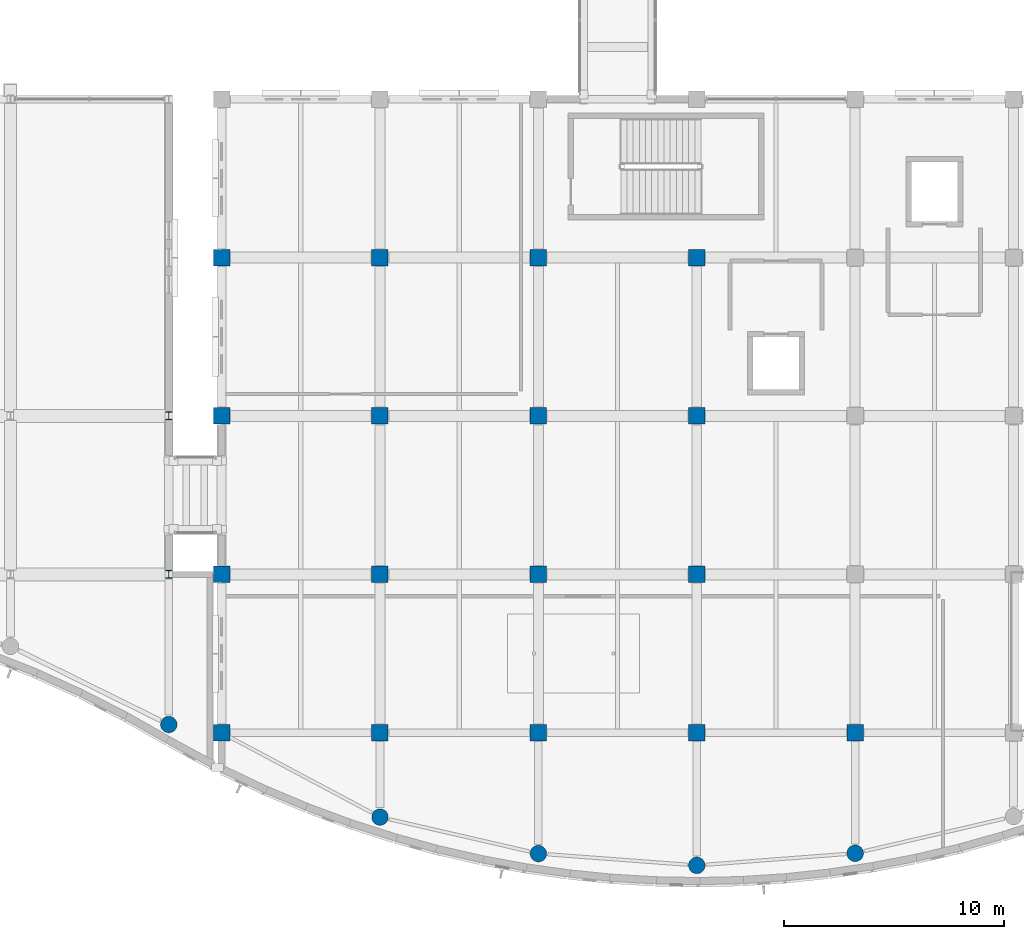
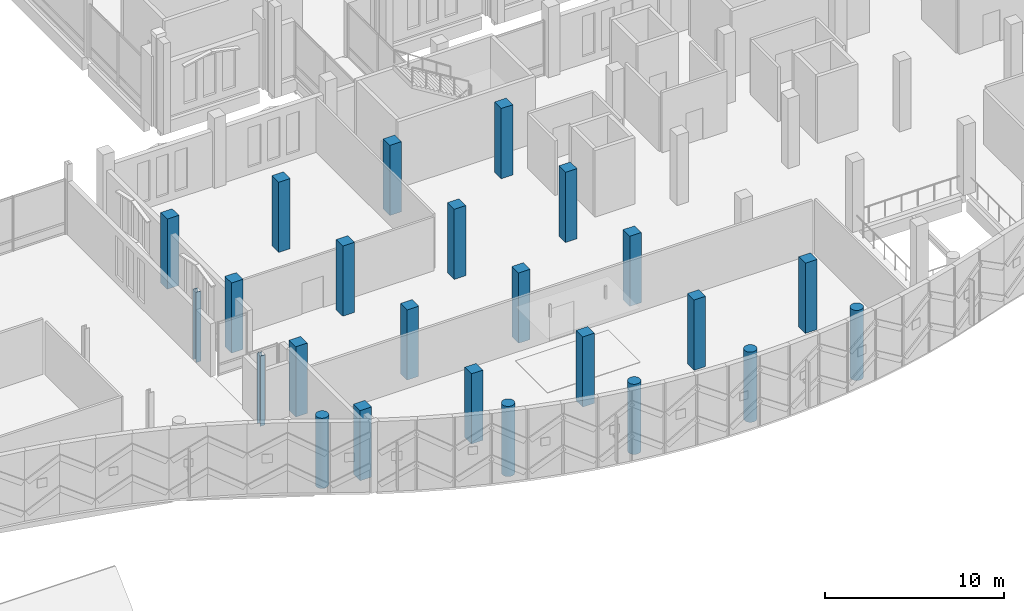
# One storey, part 10 of 193: 24 columns.
"""IFC4 building model written with IfcOpenShell, lengths in metres."""

from ifc_helpers import new_model, si_unit, direction, frame, origin, origin_2d, place, context, subcontext, project, spatial, rectangle, circle, i_section, extrude, material, material_profile, profile_set, type_object, element, save


model = new_model("IFC4")

# Units and contexts
model_context = context("Model", 3, precision=1e-05, world=origin(), true_north=direction((0.0, 1.0)))
body_context = subcontext(model_context, "Body", "Model", "MODEL_VIEW")
ifc_project = project(units=[si_unit("LENGTHUNIT", "METRE"), si_unit("AREAUNIT", "SQUARE_METRE"), si_unit("VOLUMEUNIT", "CUBIC_METRE"), si_unit("PLANEANGLEUNIT", "RADIAN"), si_unit("MASSUNIT", "GRAM", prefix="KILO")], contexts=[model_context])

# Site, building, storey
site_placement = place(None, origin())
site = spatial("IfcSite", under=ifc_project, at=site_placement, CompositionType="ELEMENT")
building_placement = place(site_placement, origin())
building = spatial("IfcBuilding", under=site, at=building_placement, Name="Cendralis Lancet Convention Centre", CompositionType="ELEMENT")
storey_placement = place(building_placement, frame((0.0, 0.0, 10.199951171875)))
storey = spatial("IfcBuildingStorey", under=building, at=storey_placement, Name="L02", CompositionType="ELEMENT", Elevation=10.199951171875)

# Columns
ifc_material_1 = material(Name="Concrete G40 (C40/50)", Category="concrete")
ifc_material_profile_1 = material_profile(ifc_material_1, rectangle(XDim=0.75, YDim=0.75, at=origin_2d()), Name="RC 750x750")
ifc_profile_set_1 = profile_set([ifc_material_profile_1], Name="Concrete G40 (C40/50)")
column_type_1 = type_object("IfcColumnType", Name="STR-COL-C06", PredefinedType="COLUMN", material=ifc_profile_set_1)
for number, where, z_axis, x_axis, name in (
    (1, (132.0, 7.199951171875, 0.0), (0.0, 0.0, 1.0), (1.0, 0.0, 0.0), "L02 Column C06 at 132.0,7.2"),
    (2, (132.0, 14.39990234375, 0.0), (0.0, 0.0, 1.0), (1.0, 0.0, 0.0), "L02 Column C06 at 132.0,14.4"),
    (3, (132.0, 21.60009765625, 0.0), (0.0, 0.0, 1.0), (1.0, 0.0, 0.0), "L02 Column C06 at 132.0,21.6"),
    (4, (132.0, 28.800048828125, 0.0), (0.0, 0.0, 1.0), (1.0, 0.0, 0.0), "L02 Column C06 at 132.0,28.8"),
):
    element("IfcColumn", number, at=place(storey_placement, frame(where, z_axis=z_axis, x_axis=x_axis)), inside=storey, type_object=column_type_1, Name=name, PredefinedType="COLUMN", context=body_context, shape_type="SweptSolid", body=[
        extrude(rectangle(XDim=0.75, YDim=0.75, at=origin_2d()), origin(), (0.0, 0.0, 1.0), 4.800048828125),
    ])
ifc_material_profile_2 = material_profile(ifc_material_1, rectangle(XDim=0.75, YDim=0.75, at=origin_2d()), Name="RC 750x750")
ifc_profile_set_2 = profile_set([ifc_material_profile_2], Name="Concrete G40 (C40/50)")
column_type_2 = type_object("IfcColumnType", Name="STR-COL-C06-INT", PredefinedType="COLUMN", material=ifc_profile_set_2)
for number, where, z_axis, x_axis, name in (
    (5, (139.199951171875, 7.199951171875, 0.0), (0.0, 0.0, 1.0), (1.0, 0.0, 0.0), "L02 Column C06 at 139.2,7.2"),
    (6, (139.199951171875, 14.39990234375, 0.0), (0.0, 0.0, 1.0), (1.0, 0.0, 0.0), "L02 Column C06 at 139.2,14.4"),
    (7, (139.199951171875, 21.60009765625, 0.0), (0.0, 0.0, 1.0), (1.0, 0.0, 0.0), "L02 Column C06 at 139.2,21.6"),
    (8, (139.199951171875, 28.800048828125, 0.0), (0.0, 0.0, 1.0), (1.0, 0.0, 0.0), "L02 Column C06 at 139.2,28.8"),
    (9, (146.39990234375, 7.199951171875, 0.0), (0.0, 0.0, 1.0), (1.0, 0.0, 0.0), "L02 Column C06 at 146.4,7.2"),
    (10, (146.39990234375, 14.39990234375, 0.0), (0.0, 0.0, 1.0), (1.0, 0.0, 0.0), "L02 Column C06 at 146.4,14.4"),
    (11, (146.39990234375, 21.60009765625, 0.0), (0.0, 0.0, 1.0), (1.0, 0.0, 0.0), "L02 Column C06 at 146.4,21.6"),
    (12, (146.39990234375, 28.800048828125, 0.0), (0.0, 0.0, 1.0), (1.0, 0.0, 0.0), "L02 Column C06 at 146.4,28.8"),
    (13, (153.60009765625, 7.199951171875, 0.0), (0.0, 0.0, 1.0), (1.0, 0.0, 0.0), "L02 Column C06 at 153.6,7.2"),
    (14, (153.60009765625, 14.39990234375, 0.0), (0.0, 0.0, 1.0), (1.0, 0.0, 0.0), "L02 Column C06 at 153.6,14.4"),
    (15, (153.60009765625, 21.60009765625, 0.0), (0.0, 0.0, 1.0), (1.0, 0.0, 0.0), "L02 Column C06 at 153.6,21.6"),
    (16, (153.60009765625, 28.800048828125, 0.0), (0.0, 0.0, 1.0), (1.0, 0.0, 0.0), "L02 Column C06 at 153.6,28.8"),
    (17, (160.800048828125, 7.199951171875, 0.0), (0.0, 0.0, 1.0), (1.0, 0.0, 0.0), "L02 Column C06 at 160.8,7.2"),
):
    element("IfcColumn", number, at=place(storey_placement, frame(where, z_axis=z_axis, x_axis=x_axis)), inside=storey, type_object=column_type_2, Name=name, PredefinedType="COLUMN", context=body_context, shape_type="SweptSolid", body=[
        extrude(rectangle(XDim=0.75, YDim=0.75, at=origin_2d()), origin(), (0.0, 0.0, 1.0), 4.800048828125),
    ])
ifc_material_profile_3 = material_profile(ifc_material_1, circle(Radius=0.375, at=origin_2d()), Name="RC D750")
ifc_profile_set_3 = profile_set([ifc_material_profile_3], Name="Concrete G40 (C40/50)")
column_type_3 = type_object("IfcColumnType", Name="STR-COL-C18", PredefinedType="COLUMN", material=ifc_profile_set_3)
for number, where, z_axis, x_axis, name in (
    (18, (139.199951171875, 3.36572265625, 0.0), (0.0, 0.0, 1.0), (1.0, 0.0, 0.0), "L02 Column C18 at 139.2,3.4"),
    (19, (146.39990234375, 1.705810546875, 0.0), (0.0, 0.0, 1.0), (1.0, 0.0, 0.0), "L02 Column C18 at 146.4,1.7"),
    (20, (153.60009765625, 1.169921875, 0.0), (0.0, 0.0, 1.0), (1.0, 0.0, 0.0), "L02 Column C18 at 153.6,1.2"),
    (21, (160.800048828125, 1.720458984375, 0.0), (0.0, 0.0, 1.0), (1.0, 0.0, 0.0), "L02 Column C18 at 160.8,1.7"),
    (22, (129.60009765625, 7.57275390625, 0.0), (0.0, 0.0, 1.0), (1.0, 0.0, 0.0), "L02 Column C18 at 129.6,7.6"),
):
    element("IfcColumn", number, at=place(storey_placement, frame(where, z_axis=z_axis, x_axis=x_axis)), inside=storey, type_object=column_type_3, Name=name, PredefinedType="COLUMN", context=body_context, shape_type="SweptSolid", body=[
        extrude(circle(Radius=0.375, at=origin_2d()), origin(), (0.0, 0.0, 1.0), 4.800048828125),
    ])
ifc_material_2 = material(Name="Steel S355", Category="steel")
ifc_material_profile_4 = material_profile(ifc_material_2, i_section(OverallWidth=0.300048828125, OverallDepth=0.360107421875, WebThickness=0.012451171875, FlangeThickness=0.0224609375, FilletRadius=0.027099609375, at=origin_2d()), Name="HEB 360")
ifc_profile_set_4 = profile_set([ifc_material_profile_4], Name="Steel S355")
column_type_4 = type_object("IfcColumnType", Name="STR-COL-C26", PredefinedType="COLUMN", material=ifc_profile_set_4)
for number, where, z_axis, x_axis, name in (
    (23, (129.60009765625, 14.39990234375, 0.0), (0.0, 0.0, 1.0), (1.0, 0.0, 0.0), "L02 Column C26 at 129.6,14.4"),
    (24, (129.60009765625, 21.60009765625, 0.0), (0.0, 0.0, 1.0), (1.0, 0.0, 0.0), "L02 Column C26 at 129.6,21.6"),
):
    element("IfcColumn", number, at=place(storey_placement, frame(where, z_axis=z_axis, x_axis=x_axis)), inside=storey, type_object=column_type_4, Name=name, PredefinedType="COLUMN", context=body_context, shape_type="SweptSolid", body=[
        extrude(i_section(OverallWidth=0.300048828125, OverallDepth=0.360107421875, WebThickness=0.012451171875, FlangeThickness=0.0224609375, FilletRadius=0.027099609375, at=origin_2d()), origin(), (0.0, 0.0, 1.0), 4.800048828125),
    ])

save(model, "model.ifc")
